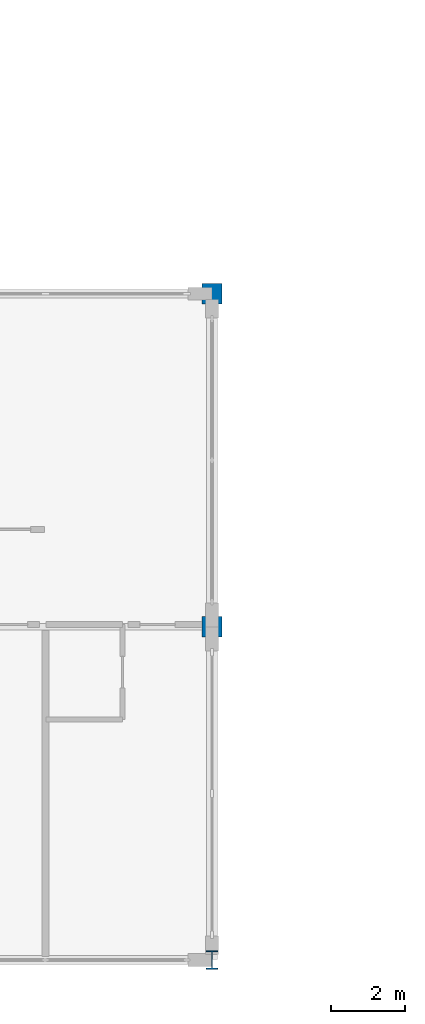
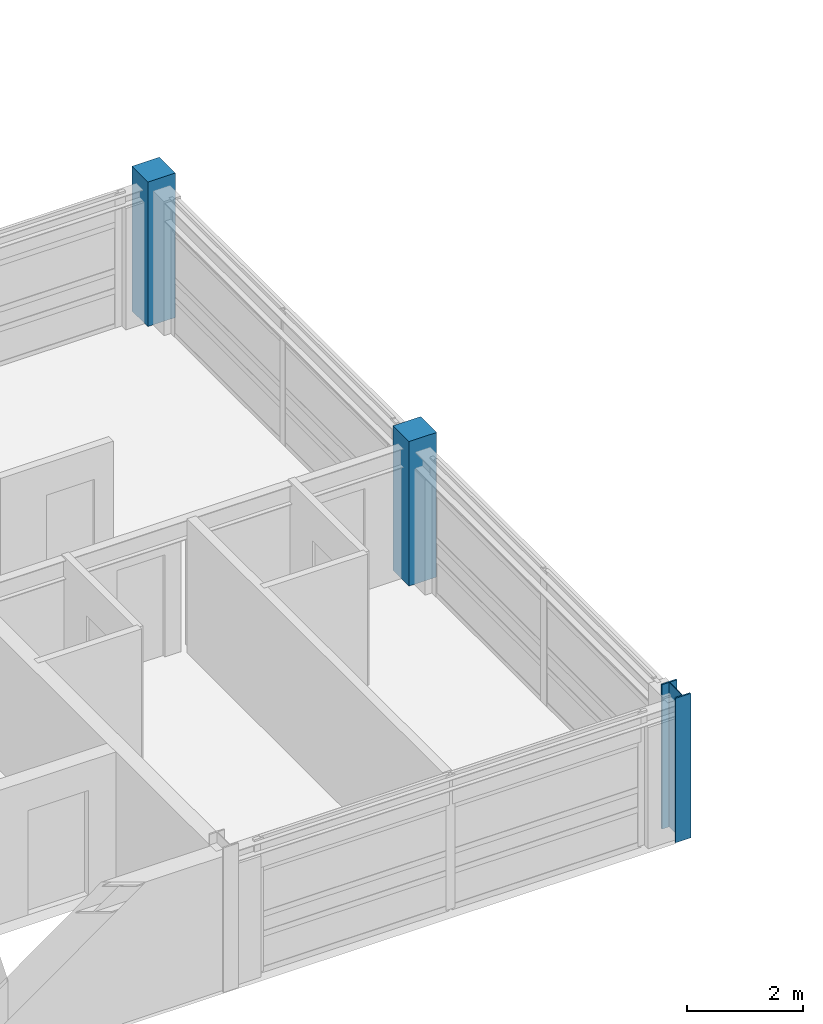
# One storey, part 4 of 37: 3 columns.
"""IFC4 building model written with IfcOpenShell, lengths in metres."""

from ifc_helpers import new_model, si_unit, direction, frame, origin, origin_2d, place, context, subcontext, project, spatial, rectangle, i_section, extrude, material, material_profile, profile_set, type_object, element, save


model = new_model("IFC4")

# Units and contexts
model_context = context("Model", 3, precision=1e-05, world=origin(), true_north=direction((0.0, 1.0)))
body_context = subcontext(model_context, "Body", "Model", "MODEL_VIEW")
ifc_project = project(units=[si_unit("LENGTHUNIT", "METRE"), si_unit("AREAUNIT", "SQUARE_METRE"), si_unit("VOLUMEUNIT", "CUBIC_METRE"), si_unit("PLANEANGLEUNIT", "RADIAN"), si_unit("MASSUNIT", "GRAM", prefix="KILO")], contexts=[model_context])

# Site, building, storey
site_placement = place(None, origin())
site = spatial("IfcSite", under=ifc_project, at=site_placement, CompositionType="ELEMENT")
building_placement = place(site_placement, origin())
building = spatial("IfcBuilding", under=site, at=building_placement, Name="Palais des Congres Ocreval", CompositionType="ELEMENT")
storey_placement = place(building_placement, frame((0.0, 0.0, 11.52001953125)))
storey = spatial("IfcBuildingStorey", under=building, at=storey_placement, Name="L03", CompositionType="ELEMENT", Elevation=11.52001953125)

# Columns
ifc_material_1 = material(Name="Steel S355", Category="steel")
ifc_material_profile_1 = material_profile(ifc_material_1, i_section(OverallWidth=0.300048828125, OverallDepth=0.5, WebThickness=0.014404296875, FlangeThickness=0.028076171875, at=origin_2d()), Name="HEB 500")
ifc_profile_set_1 = profile_set([ifc_material_profile_1], Name="Steel S355")
column_type_1 = type_object("IfcColumnType", Name="Column HEB 500 Steel S355", PredefinedType="COLUMN", material=ifc_profile_set_1)
column_placement = place(storey_placement, frame((72.0, 0.0, 0.0), z_axis=(0.0, 0.0, 1.0), x_axis=(1.0, 0.0, 0.0)))
element("IfcColumn", 1, at=column_placement, inside=storey, type_object=column_type_1, Name="Column C08 L03", PredefinedType="COLUMN", context=body_context, shape_type="SweptSolid", body=[
    extrude(i_section(OverallWidth=0.300048828125, OverallDepth=0.5, WebThickness=0.014404296875, FlangeThickness=0.028076171875, at=origin_2d()), origin(), (0.0, 0.0, 1.0), 3.0400390625),
])
ifc_material_2 = material(Name="Concrete C40/50", Category="concrete")
ifc_material_profile_2 = material_profile(ifc_material_2, rectangle(XDim=0.550048828125, YDim=0.550048828125, at=origin_2d()), Name="RC 550x550")
ifc_profile_set_2 = profile_set([ifc_material_profile_2], Name="Concrete C40/50")
column_type_2 = type_object("IfcColumnType", Name="Column RC 550x550 Concrete C40/50", PredefinedType="COLUMN", material=ifc_profile_set_2)
for number, where, z_axis, x_axis, name in (
    (2, (72.0, 9.0, 0.0), (0.0, 0.0, 1.0), (1.0, 0.0, 0.0), "Column C24 L03"),
    (3, (72.0, 18.0, 0.0), (0.0, 0.0, 1.0), (1.0, 0.0, 0.0), "Column C24 L03"),
):
    element("IfcColumn", number, at=place(storey_placement, frame(where, z_axis=z_axis, x_axis=x_axis)), inside=storey, type_object=column_type_2, Name=name, PredefinedType="COLUMN", context=body_context, shape_type="SweptSolid", body=[
        extrude(rectangle(XDim=0.550048828125, YDim=0.550048828125, at=origin_2d()), origin(), (0.0, 0.0, 1.0), 3.0400390625),
    ])

save(model, "model.ifc")
